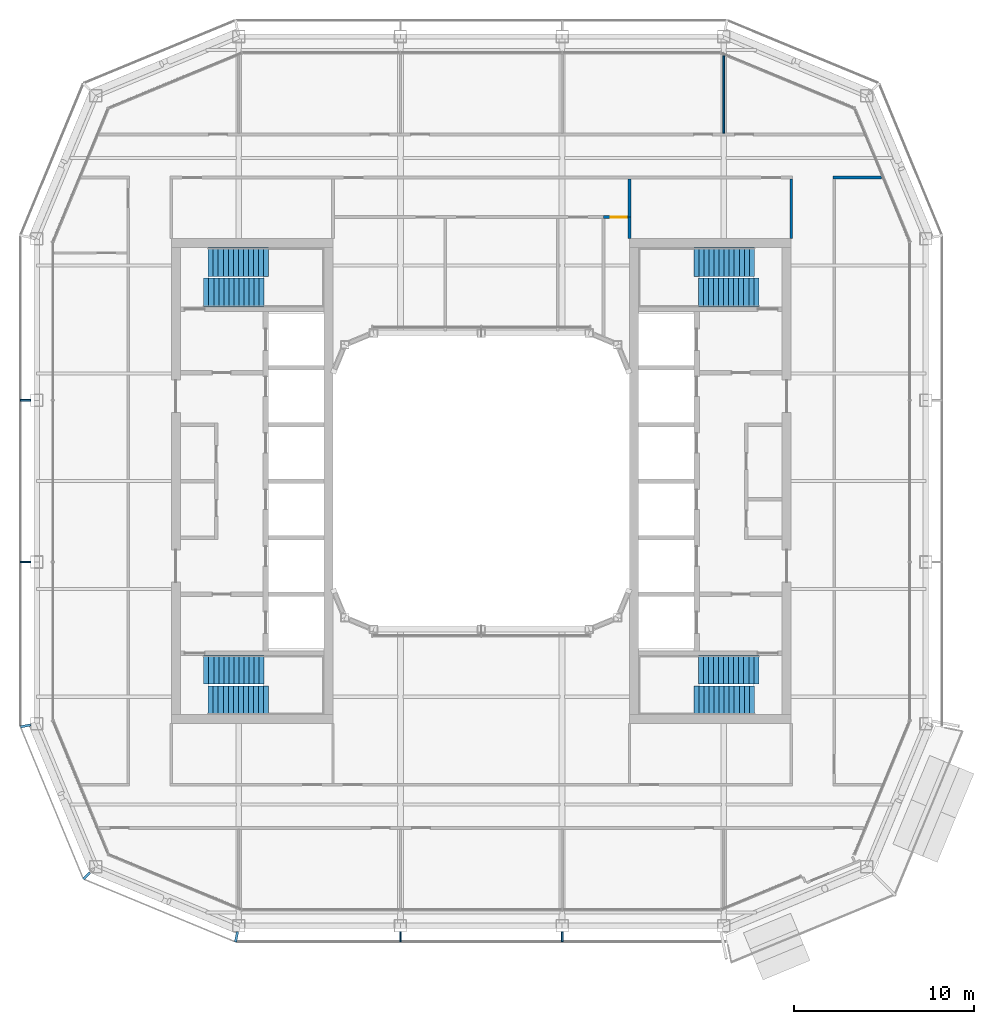
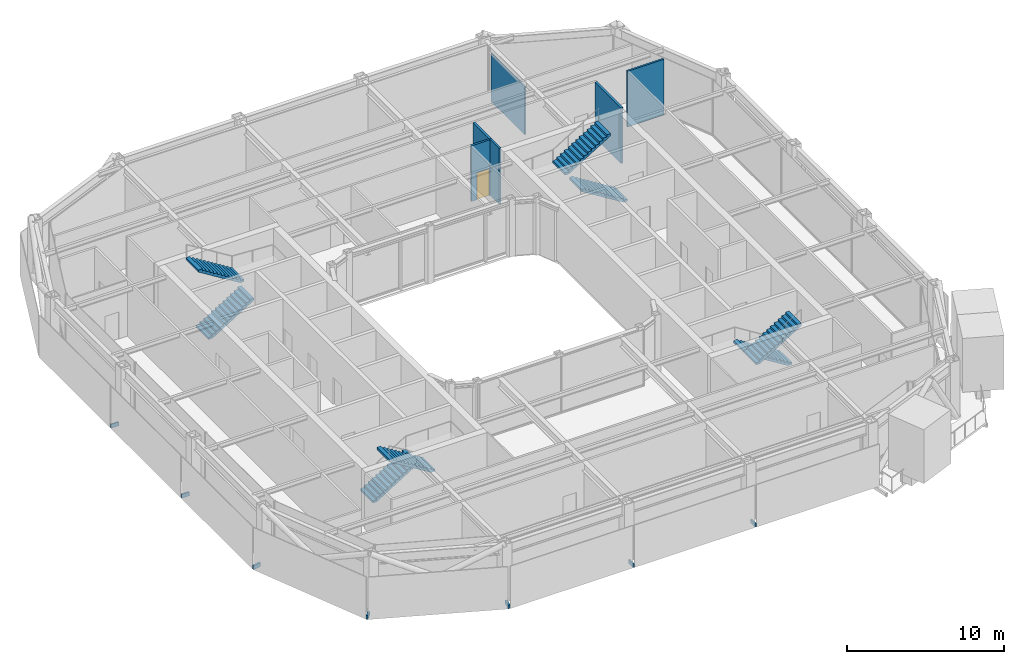
# One storey, part 14 of 21: 8 stair flights, 7 discrete accessories, 6 walls, 1 door, 1 opening, 4 elements without a shape of their own.
"""IFC4 building model written with IfcOpenShell, lengths in metres."""

from ifc_helpers import new_model, si_unit, direction, frame, frame_2d, origin, origin_2d, place, context, subcontext, project, spatial, polyline, rectangle, outline, extrude, material, layer, layer_set, type_object, element, fill, aggregate, save


model = new_model("IFC4")

# Units and contexts
model_context = context("Model", 3, precision=1e-05, world=origin(), true_north=direction((0.0, 1.0)))
body_context = subcontext(model_context, "Body", "Model", "MODEL_VIEW")
ifc_project = project(units=[si_unit("LENGTHUNIT", "METRE"), si_unit("AREAUNIT", "SQUARE_METRE"), si_unit("VOLUMEUNIT", "CUBIC_METRE"), si_unit("PLANEANGLEUNIT", "RADIAN"), si_unit("MASSUNIT", "GRAM", prefix="KILO")], contexts=[model_context])

# Site, building, storey
site_placement = place(None, origin())
site = spatial("IfcSite", under=ifc_project, at=site_placement, CompositionType="ELEMENT")
building_placement = place(site_placement, origin())
building = spatial("IfcBuilding", under=site, at=building_placement, Name="Siwar Civic Tower", CompositionType="ELEMENT")
storey_placement = place(building_placement, frame((0.0, 0.0, 339.199951171875)))
storey = spatial("IfcBuildingStorey", under=building, at=storey_placement, Name="L73", CompositionType="ELEMENT", Elevation=339.199951171875)

# Wall, opening, door
ifc_material_1 = material(Name="Gypsum board on steel studs", Category="steel")
ifc_layer_1 = layer(ifc_material_1, 0.14990234375)
ifc_layer_set_1 = layer_set([ifc_layer_1], Name="Gypsum board on steel studs")
wall_type_1 = type_object("IfcWallType", Name="COMPARTMENT PARTITION 150 EI 60", PredefinedType="PARTITIONING", material=ifc_layer_set_1)
wall_1_placement = place(storey_placement, frame((6.800048828125, 14.699951171875, 0.0), z_axis=(0.0, 0.0, 1.0), x_axis=(1.0, 0.0, 0.0)))
wall_1 = element("IfcWall", 1, at=wall_1_placement, inside=storey, type_object=wall_type_1, Name="L73/wall/P07", PredefinedType="PARTITIONING", context=body_context, shape_type="SweptSolid", body=[
    extrude(rectangle(XDim=1.375, YDim=0.14990234375, at=frame_2d((0.6875, 0.0))), origin(), (0.0, 0.0, 1.0), 4.35009765625),
])
opening_placement = place(wall_1_placement, frame((0.39990234375, 0.0, 0.0)))
opening = element("IfcOpeningElement", 2, at=opening_placement, cuts=wall_1, Name="Opening D4", PredefinedType="OPENING", context=body_context, shape_type="SweptSolid", body=[
    extrude(rectangle(XDim=0.89990234375, YDim=2.10009765625, at=frame_2d((0.449951171875, 1.050048828125))), frame((0.0, 0.0849609375, 0.0), z_axis=(0.0, -1.0, 0.0), x_axis=(1.0, 0.0, 0.0)), (0.0, 0.0, 1.0), 0.169921875),
])
ifc_material_2 = material(Name="Timber, painted", Category="wood")
door_type = type_object("IfcDoorType", Name="DOOR 900 X 2100 FD60", OperationType="SINGLE_SWING_LEFT", PredefinedType="DOOR", material=ifc_material_2)
door_placement = place(opening_placement, origin())
door = element("IfcDoor", 3, at=door_placement, inside=storey, type_object=door_type, Name="L73-D15", OperationType="SINGLE_SWING_LEFT", OverallHeight=2.10009765625, OverallWidth=0.89990234375, PredefinedType="DOOR", context=body_context, shape_type="SweptSolid", body=[
    extrude(rectangle(XDim=0.89990234375, YDim=2.10009765625, at=frame_2d((0.449951171875, 1.050048828125))), frame((0.0, 0.02490234375, 0.0), z_axis=(0.0, -1.0, 0.0), x_axis=(1.0, 0.0, 0.0)), (0.0, 0.0, 1.0), 0.050048828125),
])
fill(opening, door)

# Walls
wall_2_placement = place(storey_placement, frame((8.25, 13.5, 0.0), z_axis=(0.0, 0.0, 1.0), x_axis=(0.0, 1.0, 0.0)))
element("IfcWall", 4, at=wall_2_placement, inside=storey, type_object=wall_type_1, Name="L73/wall/P28", PredefinedType="PARTITIONING", context=body_context, shape_type="SweptSolid", body=[
    extrude(rectangle(XDim=1.199951171875, YDim=0.14990234375, at=frame_2d((0.60009765625, 0.0))), origin(), (0.0, 0.0, 1.0), 4.35009765625),
])
ifc_material_3 = material(Name="Gypsum board on steel studs", Category="steel")
ifc_layer_2 = layer(ifc_material_3, 0.14990234375)
ifc_layer_set_2 = layer_set([ifc_layer_2], Name="Gypsum board on steel studs")
wall_type_2 = type_object("IfcWallType", Name="CORRIDOR PARTITION 150 EI 30", PredefinedType="PARTITIONING", material=ifc_layer_set_2)
wall_3_placement = place(storey_placement, frame((19.574951171875, 16.89990234375, 0.0), z_axis=(0.0, 0.0, 1.0), x_axis=(1.0, 0.0, 0.0)))
element("IfcWall", 5, at=wall_3_placement, inside=storey, type_object=wall_type_2, Name="L73/wall/P10", PredefinedType="PARTITIONING", context=body_context, shape_type="SweptSolid", body=[
    extrude(rectangle(XDim=2.695068359375, YDim=0.14990234375, at=frame_2d((1.34765625, 0.0))), origin(), (0.0, 0.0, 1.0), 4.35009765625),
])
wall_4_placement = place(storey_placement, frame((8.25, 14.699951171875, 0.0), z_axis=(0.0, 0.0, 1.0), x_axis=(0.0, 1.0, 0.0)))
element("IfcWall", 6, at=wall_4_placement, inside=storey, type_object=wall_type_2, Name="L73/wall/P27", PredefinedType="PARTITIONING", context=body_context, shape_type="SweptSolid", body=[
    extrude(rectangle(XDim=2.125, YDim=0.14990234375, at=frame_2d((1.0625, 0.0))), origin(), (0.0, 0.0, 1.0), 4.35009765625),
])
wall_5_placement = place(storey_placement, frame((17.25, 13.5, 0.0), z_axis=(0.0, 0.0, 1.0), x_axis=(0.0, 1.0, 0.0)))
element("IfcWall", 7, at=wall_5_placement, inside=storey, type_object=wall_type_2, Name="L73/wall/P32", PredefinedType="PARTITIONING", context=body_context, shape_type="SweptSolid", body=[
    extrude(rectangle(XDim=3.324951171875, YDim=0.14990234375, at=frame_2d((1.66259765625, 0.0))), origin(), (0.0, 0.0, 1.0), 4.35009765625),
])
ifc_material_4 = material(Name="Gypsum board on steel studs", Category="steel")
ifc_layer_3 = layer(ifc_material_4, 0.10009765625)
ifc_layer_set_3 = layer_set([ifc_layer_3], Name="Gypsum board on steel studs")
wall_type_3 = type_object("IfcWallType", Name="PARTITION 100 GYPSUM", PredefinedType="PARTITIONING", material=ifc_layer_set_3)
wall_6_placement = place(storey_placement, frame((13.5, 19.375, 0.0), z_axis=(0.0, 0.0, 1.0), x_axis=(0.0, 1.0, 0.0)))
element("IfcWall", 8, at=wall_6_placement, inside=storey, type_object=wall_type_3, Name="L73/wall/P30", PredefinedType="PARTITIONING", context=body_context, shape_type="SweptSolid", body=[
    extrude(rectangle(XDim=4.302978515625, YDim=0.10009765625, at=frame_2d((2.1513671875, 0.0))), origin(), (0.0, 0.0, 1.0), 3.75),
])

# Stair, stair flights
ifc_material_5 = material(Name="Concrete C40/50", Category="concrete")
stair_type = type_object("IfcStairType", Name="CORE-STAIR", PredefinedType="TWO_STRAIGHT_RUN_STAIR", material=ifc_material_5)
stair_1_placement = place(storey_placement, origin())
stair_1 = element("IfcStair", 9, at=stair_1_placement, inside=storey, type_object=stair_type, Name="Exit stair ST1", PredefinedType="TWO_STRAIGHT_RUN_STAIR")
ifc_material_6 = material(Name="Concrete C40/50", Category="concrete")
stair_flight_type = type_object("IfcStairFlightType", Name="CORE-STAIR-FLIGHT", PredefinedType="STRAIGHT", material=ifc_material_6)
stair_flight_1_placement = place(storey_placement, frame((-15.449951171875, 10.5, 0.0), z_axis=(0.0, 0.0, 1.0), x_axis=(1.0, 0.0, 0.0)))
stair_flight_1 = element("IfcStairFlight", 10, at=stair_flight_1_placement, type_object=stair_flight_type, Name="ST1 flight 1", NumberOfRisers=13, NumberOfTreads=12, PredefinedType="STRAIGHT", RiserHeight=0.173076923, TreadLength=0.28, context=body_context, shape_type="SweptSolid", body=[
    extrude(outline(polyline([(0.0, 0.0), (0.0, 0.173095703125), (0.280029296875, 0.173095703125), (0.280029296875, 0.34619140625), (0.56005859375, 0.34619140625), (0.56005859375, 0.519287109375), (0.840087890625, 0.519287109375), (0.840087890625, 0.6923828125), (1.1201171875, 0.6923828125), (1.1201171875, 0.865478515625), (1.39990234375, 0.865478515625), (1.39990234375, 1.03857421875), (1.679931640625, 1.03857421875), (1.679931640625, 1.21142578125), (1.9599609375, 1.21142578125), (1.9599609375, 1.384521484375), (2.239990234375, 1.384521484375), (2.239990234375, 1.5576171875), (2.52001953125, 1.5576171875), (2.52001953125, 1.730712890625), (2.800048828125, 1.730712890625), (2.800048828125, 1.90380859375), (3.080078125, 1.90380859375), (3.080078125, 2.076904296875), (3.360107421875, 2.076904296875), (3.360107421875, 2.25), (3.360107421875, 1.900634765625), (0.28515625, 0.0), (0.0, 0.0)])), frame((0.0, 0.800048828125, 0.0), z_axis=(0.0, -1.0, 0.0), x_axis=(1.0, 0.0, 0.0)), (0.0, 0.0, 1.0), 1.60009765625),
])
stair_flight_2_placement = place(storey_placement, frame((-11.840087890625, 12.199951171875, 2.25), z_axis=(0.0, 0.0, 1.0), x_axis=(-1.0, 0.0, 0.0)))
stair_flight_2 = element("IfcStairFlight", 11, at=stair_flight_2_placement, type_object=stair_flight_type, Name="ST1 flight 2", NumberOfRisers=13, NumberOfTreads=12, PredefinedType="STRAIGHT", RiserHeight=0.173076923, TreadLength=0.28, context=body_context, shape_type="SweptSolid", body=[
    extrude(outline(polyline([(0.0, 0.0), (0.0, 0.173095703125), (0.280029296875, 0.173095703125), (0.280029296875, 0.34619140625), (0.56005859375, 0.34619140625), (0.56005859375, 0.519287109375), (0.840087890625, 0.519287109375), (0.840087890625, 0.6923828125), (1.1201171875, 0.6923828125), (1.1201171875, 0.865478515625), (1.39990234375, 0.865478515625), (1.39990234375, 1.03857421875), (1.679931640625, 1.03857421875), (1.679931640625, 1.21142578125), (1.9599609375, 1.21142578125), (1.9599609375, 1.384521484375), (2.239990234375, 1.384521484375), (2.239990234375, 1.5576171875), (2.52001953125, 1.5576171875), (2.52001953125, 1.730712890625), (2.800048828125, 1.730712890625), (2.800048828125, 1.90380859375), (3.080078125, 1.90380859375), (3.080078125, 2.076904296875), (3.360107421875, 2.076904296875), (3.360107421875, 2.25), (3.360107421875, 1.900634765625), (0.28515625, 0.0), (0.0, 0.0)])), frame((0.0, 0.800048828125, 0.0), z_axis=(0.0, -1.0, 0.0), x_axis=(1.0, 0.0, 0.0)), (0.0, 0.0, 1.0), 1.60009765625),
])
aggregate(stair_1, [stair_flight_1, stair_flight_2])

stair_2_placement = place(storey_placement, origin())
stair_2 = element("IfcStair", 12, at=stair_2_placement, inside=storey, type_object=stair_type, Name="Exit stair ST2", PredefinedType="TWO_STRAIGHT_RUN_STAIR")
stair_flight_3_placement = place(storey_placement, frame((-15.449951171875, -10.5, 0.0), z_axis=(0.0, 0.0, 1.0), x_axis=(1.0, 0.0, 0.0)))
stair_flight_3 = element("IfcStairFlight", 13, at=stair_flight_3_placement, type_object=stair_flight_type, Name="ST2 flight 1", NumberOfRisers=13, NumberOfTreads=12, PredefinedType="STRAIGHT", RiserHeight=0.173076923, TreadLength=0.28, context=body_context, shape_type="SweptSolid", body=[
    extrude(outline(polyline([(0.0, 0.0), (0.0, 0.173095703125), (0.280029296875, 0.173095703125), (0.280029296875, 0.34619140625), (0.56005859375, 0.34619140625), (0.56005859375, 0.519287109375), (0.840087890625, 0.519287109375), (0.840087890625, 0.6923828125), (1.1201171875, 0.6923828125), (1.1201171875, 0.865478515625), (1.39990234375, 0.865478515625), (1.39990234375, 1.03857421875), (1.679931640625, 1.03857421875), (1.679931640625, 1.21142578125), (1.9599609375, 1.21142578125), (1.9599609375, 1.384521484375), (2.239990234375, 1.384521484375), (2.239990234375, 1.5576171875), (2.52001953125, 1.5576171875), (2.52001953125, 1.730712890625), (2.800048828125, 1.730712890625), (2.800048828125, 1.90380859375), (3.080078125, 1.90380859375), (3.080078125, 2.076904296875), (3.360107421875, 2.076904296875), (3.360107421875, 2.25), (3.360107421875, 1.900634765625), (0.28515625, 0.0), (0.0, 0.0)])), frame((0.0, 0.800048828125, 0.0), z_axis=(0.0, -1.0, 0.0), x_axis=(1.0, 0.0, 0.0)), (0.0, 0.0, 1.0), 1.60009765625),
])
stair_flight_4_placement = place(storey_placement, frame((-11.840087890625, -12.199951171875, 2.25), z_axis=(0.0, 0.0, 1.0), x_axis=(-1.0, 0.0, 0.0)))
stair_flight_4 = element("IfcStairFlight", 14, at=stair_flight_4_placement, type_object=stair_flight_type, Name="ST2 flight 2", NumberOfRisers=13, NumberOfTreads=12, PredefinedType="STRAIGHT", RiserHeight=0.173076923, TreadLength=0.28, context=body_context, shape_type="SweptSolid", body=[
    extrude(outline(polyline([(0.0, 0.0), (0.0, 0.173095703125), (0.280029296875, 0.173095703125), (0.280029296875, 0.34619140625), (0.56005859375, 0.34619140625), (0.56005859375, 0.519287109375), (0.840087890625, 0.519287109375), (0.840087890625, 0.6923828125), (1.1201171875, 0.6923828125), (1.1201171875, 0.865478515625), (1.39990234375, 0.865478515625), (1.39990234375, 1.03857421875), (1.679931640625, 1.03857421875), (1.679931640625, 1.21142578125), (1.9599609375, 1.21142578125), (1.9599609375, 1.384521484375), (2.239990234375, 1.384521484375), (2.239990234375, 1.5576171875), (2.52001953125, 1.5576171875), (2.52001953125, 1.730712890625), (2.800048828125, 1.730712890625), (2.800048828125, 1.90380859375), (3.080078125, 1.90380859375), (3.080078125, 2.076904296875), (3.360107421875, 2.076904296875), (3.360107421875, 2.25), (3.360107421875, 1.900634765625), (0.28515625, 0.0), (0.0, 0.0)])), frame((0.0, 0.800048828125, 0.0), z_axis=(0.0, -1.0, 0.0), x_axis=(1.0, 0.0, 0.0)), (0.0, 0.0, 1.0), 1.60009765625),
])
aggregate(stair_2, [stair_flight_3, stair_flight_4])

stair_3_placement = place(storey_placement, origin())
stair_3 = element("IfcStair", 15, at=stair_3_placement, inside=storey, type_object=stair_type, Name="Exit stair ST3", PredefinedType="TWO_STRAIGHT_RUN_STAIR")
stair_flight_5_placement = place(storey_placement, frame((15.449951171875, 10.5, 0.0), z_axis=(0.0, 0.0, 1.0), x_axis=(-1.0, 0.0, 0.0)))
stair_flight_5 = element("IfcStairFlight", 16, at=stair_flight_5_placement, type_object=stair_flight_type, Name="ST3 flight 1", NumberOfRisers=13, NumberOfTreads=12, PredefinedType="STRAIGHT", RiserHeight=0.173076923, TreadLength=0.28, context=body_context, shape_type="SweptSolid", body=[
    extrude(outline(polyline([(0.0, 0.0), (0.0, 0.173095703125), (0.280029296875, 0.173095703125), (0.280029296875, 0.34619140625), (0.56005859375, 0.34619140625), (0.56005859375, 0.519287109375), (0.840087890625, 0.519287109375), (0.840087890625, 0.6923828125), (1.1201171875, 0.6923828125), (1.1201171875, 0.865478515625), (1.39990234375, 0.865478515625), (1.39990234375, 1.03857421875), (1.679931640625, 1.03857421875), (1.679931640625, 1.21142578125), (1.9599609375, 1.21142578125), (1.9599609375, 1.384521484375), (2.239990234375, 1.384521484375), (2.239990234375, 1.5576171875), (2.52001953125, 1.5576171875), (2.52001953125, 1.730712890625), (2.800048828125, 1.730712890625), (2.800048828125, 1.90380859375), (3.080078125, 1.90380859375), (3.080078125, 2.076904296875), (3.360107421875, 2.076904296875), (3.360107421875, 2.25), (3.360107421875, 1.900634765625), (0.28515625, 0.0), (0.0, 0.0)])), frame((0.0, 0.800048828125, 0.0), z_axis=(0.0, -1.0, 0.0), x_axis=(1.0, 0.0, 0.0)), (0.0, 0.0, 1.0), 1.60009765625),
])
stair_flight_6_placement = place(storey_placement, frame((11.840087890625, 12.199951171875, 2.25), z_axis=(0.0, 0.0, 1.0), x_axis=(1.0, 0.0, 0.0)))
stair_flight_6 = element("IfcStairFlight", 17, at=stair_flight_6_placement, type_object=stair_flight_type, Name="ST3 flight 2", NumberOfRisers=13, NumberOfTreads=12, PredefinedType="STRAIGHT", RiserHeight=0.173076923, TreadLength=0.28, context=body_context, shape_type="SweptSolid", body=[
    extrude(outline(polyline([(0.0, 0.0), (0.0, 0.173095703125), (0.280029296875, 0.173095703125), (0.280029296875, 0.34619140625), (0.56005859375, 0.34619140625), (0.56005859375, 0.519287109375), (0.840087890625, 0.519287109375), (0.840087890625, 0.6923828125), (1.1201171875, 0.6923828125), (1.1201171875, 0.865478515625), (1.39990234375, 0.865478515625), (1.39990234375, 1.03857421875), (1.679931640625, 1.03857421875), (1.679931640625, 1.21142578125), (1.9599609375, 1.21142578125), (1.9599609375, 1.384521484375), (2.239990234375, 1.384521484375), (2.239990234375, 1.5576171875), (2.52001953125, 1.5576171875), (2.52001953125, 1.730712890625), (2.800048828125, 1.730712890625), (2.800048828125, 1.90380859375), (3.080078125, 1.90380859375), (3.080078125, 2.076904296875), (3.360107421875, 2.076904296875), (3.360107421875, 2.25), (3.360107421875, 1.900634765625), (0.28515625, 0.0), (0.0, 0.0)])), frame((0.0, 0.800048828125, 0.0), z_axis=(0.0, -1.0, 0.0), x_axis=(1.0, 0.0, 0.0)), (0.0, 0.0, 1.0), 1.60009765625),
])
aggregate(stair_3, [stair_flight_5, stair_flight_6])

stair_4_placement = place(storey_placement, origin())
stair_4 = element("IfcStair", 18, at=stair_4_placement, inside=storey, type_object=stair_type, Name="Exit stair ST4", PredefinedType="TWO_STRAIGHT_RUN_STAIR")
stair_flight_7_placement = place(storey_placement, frame((15.449951171875, -10.5, 0.0), z_axis=(0.0, 0.0, 1.0), x_axis=(-1.0, 0.0, 0.0)))
stair_flight_7 = element("IfcStairFlight", 19, at=stair_flight_7_placement, type_object=stair_flight_type, Name="ST4 flight 1", NumberOfRisers=13, NumberOfTreads=12, PredefinedType="STRAIGHT", RiserHeight=0.173076923, TreadLength=0.28, context=body_context, shape_type="SweptSolid", body=[
    extrude(outline(polyline([(0.0, 0.0), (0.0, 0.173095703125), (0.280029296875, 0.173095703125), (0.280029296875, 0.34619140625), (0.56005859375, 0.34619140625), (0.56005859375, 0.519287109375), (0.840087890625, 0.519287109375), (0.840087890625, 0.6923828125), (1.1201171875, 0.6923828125), (1.1201171875, 0.865478515625), (1.39990234375, 0.865478515625), (1.39990234375, 1.03857421875), (1.679931640625, 1.03857421875), (1.679931640625, 1.21142578125), (1.9599609375, 1.21142578125), (1.9599609375, 1.384521484375), (2.239990234375, 1.384521484375), (2.239990234375, 1.5576171875), (2.52001953125, 1.5576171875), (2.52001953125, 1.730712890625), (2.800048828125, 1.730712890625), (2.800048828125, 1.90380859375), (3.080078125, 1.90380859375), (3.080078125, 2.076904296875), (3.360107421875, 2.076904296875), (3.360107421875, 2.25), (3.360107421875, 1.900634765625), (0.28515625, 0.0), (0.0, 0.0)])), frame((0.0, 0.800048828125, 0.0), z_axis=(0.0, -1.0, 0.0), x_axis=(1.0, 0.0, 0.0)), (0.0, 0.0, 1.0), 1.60009765625),
])
stair_flight_8_placement = place(storey_placement, frame((11.840087890625, -12.199951171875, 2.25), z_axis=(0.0, 0.0, 1.0), x_axis=(1.0, 0.0, 0.0)))
stair_flight_8 = element("IfcStairFlight", 20, at=stair_flight_8_placement, type_object=stair_flight_type, Name="ST4 flight 2", NumberOfRisers=13, NumberOfTreads=12, PredefinedType="STRAIGHT", RiserHeight=0.173076923, TreadLength=0.28, context=body_context, shape_type="SweptSolid", body=[
    extrude(outline(polyline([(0.0, 0.0), (0.0, 0.173095703125), (0.280029296875, 0.173095703125), (0.280029296875, 0.34619140625), (0.56005859375, 0.34619140625), (0.56005859375, 0.519287109375), (0.840087890625, 0.519287109375), (0.840087890625, 0.6923828125), (1.1201171875, 0.6923828125), (1.1201171875, 0.865478515625), (1.39990234375, 0.865478515625), (1.39990234375, 1.03857421875), (1.679931640625, 1.03857421875), (1.679931640625, 1.21142578125), (1.9599609375, 1.21142578125), (1.9599609375, 1.384521484375), (2.239990234375, 1.384521484375), (2.239990234375, 1.5576171875), (2.52001953125, 1.5576171875), (2.52001953125, 1.730712890625), (2.800048828125, 1.730712890625), (2.800048828125, 1.90380859375), (3.080078125, 1.90380859375), (3.080078125, 2.076904296875), (3.360107421875, 2.076904296875), (3.360107421875, 2.25), (3.360107421875, 1.900634765625), (0.28515625, 0.0), (0.0, 0.0)])), frame((0.0, 0.800048828125, 0.0), z_axis=(0.0, -1.0, 0.0), x_axis=(1.0, 0.0, 0.0)), (0.0, 0.0, 1.0), 1.60009765625),
])
aggregate(stair_4, [stair_flight_7, stair_flight_8])

# Discrete accessories
ifc_material_7 = material(Name="Stainless steel 316", Category="steel")
discrete_accessory_type = type_object("IfcDiscreteAccessoryType", Name="ENV-BRACKET", PredefinedType="BRACKET", material=ifc_material_7)
for number, where, z_axis, x_axis, name in (
    (21, (-4.5, -25.364990234375, -0.14990234375), (0.0, 0.0, 1.0), (0.0, -1.0, 0.0), "Bracket outer skin joint S-01"),
    (22, (4.5, -25.364990234375, -0.14990234375), (0.0, 0.0, 1.0), (0.0, -1.0, 0.0), "Bracket outer skin joint S-02"),
):
    element("IfcDiscreteAccessory", number, at=place(storey_placement, frame(where, z_axis=z_axis, x_axis=x_axis)), inside=storey, type_object=discrete_accessory_type, Name=name, PredefinedType="BRACKET", context=body_context, shape_type="SweptSolid", body=[
        extrude(rectangle(XDim=0.570068359375, YDim=0.10009765625, at=origin_2d()), origin(), (0.0, 0.0, 1.0), 0.300048828125),
    ])
for number, where, z_axis, x_axis, name in (
    (23, (-13.622314453125, -25.365234375, -0.14990234375), (0.0, 0.0, 1.0), (-0.195090322016, -0.980785280403, 0.0), "Bracket outer skin joint V00"),
    (24, (-25.365234375, -13.622314453125, -0.14990234375), (0.0, 0.0, 1.0), (-0.980785280403, -0.195090322016, 0.0), "Bracket outer skin joint V10"),
):
    element("IfcDiscreteAccessory", number, at=place(storey_placement, frame(where, z_axis=z_axis, x_axis=x_axis)), inside=storey, type_object=discrete_accessory_type, Name=name, PredefinedType="BRACKET", context=body_context, shape_type="SweptSolid", body=[
        extrude(rectangle(XDim=0.580810546875, YDim=0.13720703125, at=origin_2d()), origin(), (0.0, 0.0, 1.0), 0.300048828125),
    ])
discrete_accessory_placement = place(storey_placement, frame((-21.96728515625, -21.96728515625, -0.14990234375), z_axis=(0.0, 0.0, 1.0), x_axis=(-0.707106781187, -0.707106781187, 0.0)))
element("IfcDiscreteAccessory", 25, at=discrete_accessory_placement, inside=storey, type_object=discrete_accessory_type, Name="Bracket outer skin joint V11", PredefinedType="BRACKET", context=body_context, shape_type="SweptSolid", body=[
    extrude(rectangle(XDim=0.499267578125, YDim=0.12939453125, at=origin_2d()), origin(), (0.0, 0.0, 1.0), 0.300048828125),
])
for number, where, z_axis, x_axis, name in (
    (26, (-25.364990234375, 4.5, -0.14990234375), (0.0, 0.0, 1.0), (-1.0, 0.0, 0.0), "Bracket outer skin joint W-01"),
    (27, (-25.364990234375, -4.5, -0.14990234375), (0.0, 0.0, 1.0), (-1.0, 0.0, 0.0), "Bracket outer skin joint W-02"),
):
    element("IfcDiscreteAccessory", number, at=place(storey_placement, frame(where, z_axis=z_axis, x_axis=x_axis)), inside=storey, type_object=discrete_accessory_type, Name=name, PredefinedType="BRACKET", context=body_context, shape_type="SweptSolid", body=[
        extrude(rectangle(XDim=0.570068359375, YDim=0.10009765625, at=origin_2d()), origin(), (0.0, 0.0, 1.0), 0.300048828125),
    ])

save(model, "model.ifc")
